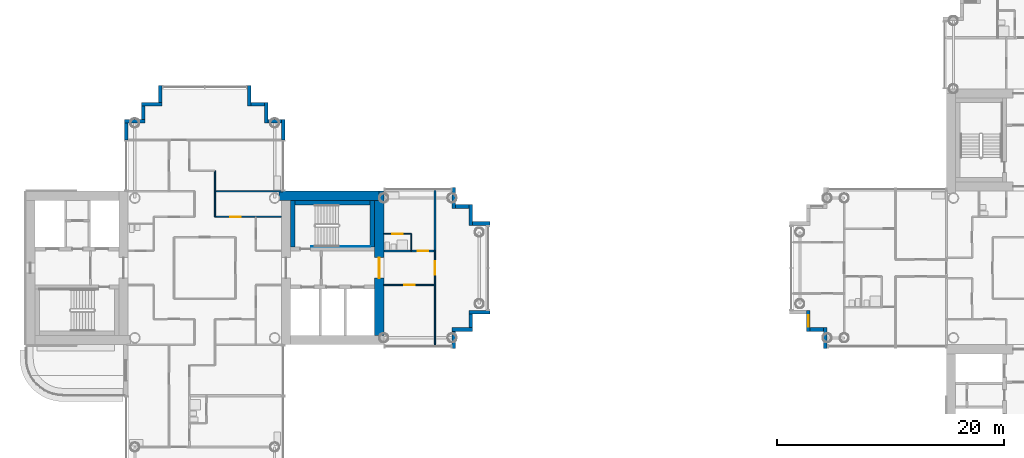
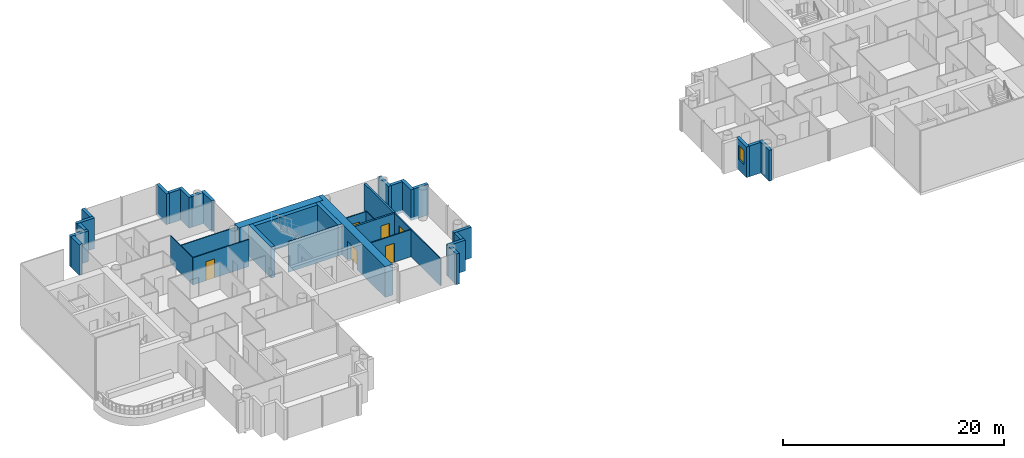
# One storey, part 9 of 20: 36 walls, 6 doors, 1 window, 7 openings.
"""IFC4 building model written with IfcOpenShell, lengths in metres."""

from ifc_helpers import new_model, si_unit, direction, frame, frame_2d, origin, place, context, subcontext, project, spatial, rectangle, extrude, material, layer, layer_set, type_object, element, fill, save


model = new_model("IFC4")

# Units and contexts
model_context = context("Model", 3, precision=1e-05, world=origin(), true_north=direction((0.0, 1.0)))
body_context = subcontext(model_context, "Body", "Model", "MODEL_VIEW")
ifc_project = project(units=[si_unit("LENGTHUNIT", "METRE"), si_unit("AREAUNIT", "SQUARE_METRE"), si_unit("VOLUMEUNIT", "CUBIC_METRE"), si_unit("PLANEANGLEUNIT", "RADIAN"), si_unit("MASSUNIT", "GRAM", prefix="KILO")], contexts=[model_context])

# Site, building, storey
site_placement = place(None, origin())
site = spatial("IfcSite", under=ifc_project, at=site_placement, CompositionType="ELEMENT")
building_placement = place(site_placement, origin())
building = spatial("IfcBuilding", under=site, at=building_placement, Name="Ipe Terrace Towers", CompositionType="ELEMENT")
storey_placement = place(building_placement, frame((0.0, 0.0, 160.89990234375)))
storey = spatial("IfcBuildingStorey", under=building, at=storey_placement, Name="L44", CompositionType="ELEMENT", Elevation=160.89990234375)

# Walls
ifc_material_1 = material(Name="Concrete C40/50 with buff precast cladding", Category="concrete")
ifc_layer_1 = layer(ifc_material_1, 0.320068359375)
ifc_layer_set_1 = layer_set([ifc_layer_1], Name="BUFF CLADDING WALL 320")
wall_type_1 = type_object("IfcWallType", Name="BUFF CLADDING WALL 320", PredefinedType="STANDARD", material=ifc_layer_set_1)
wall_1_placement = place(storey_placement, frame((-14.090087890625, -7.070068359375, -0.2998046875), z_axis=(0.0, 0.0, 1.0), x_axis=(0.0, 1.0, 0.0)))
element("IfcWall", 1, at=wall_1_placement, inside=storey, type_object=wall_type_1, Name="T1-W-L44-17a wall", PredefinedType="STANDARD", context=body_context, shape_type="SweptSolid", body=[
    extrude(rectangle(XDim=1.5, YDim=0.320068359375, at=frame_2d((0.75, 0.0))), origin(), (0.0, 0.0, 1.0), 3.39990234375),
])
wall_2_placement = place(storey_placement, frame((-14.25, -5.409912109375, -0.2998046875), z_axis=(0.0, 0.0, 1.0), x_axis=(1.0, 0.0, 0.0)))
element("IfcWall", 2, at=wall_2_placement, inside=storey, type_object=wall_type_1, Name="T1-W-L44-18a wall", PredefinedType="STANDARD", context=body_context, shape_type="SweptSolid", body=[
    extrude(rectangle(XDim=1.820068359375, YDim=0.320068359375, at=frame_2d((0.91015625, 0.0))), origin(), (0.0, 0.0, 1.0), 3.39990234375),
])
wall_3_placement = place(storey_placement, frame((-12.590087890625, -5.25, -0.2998046875), z_axis=(0.0, 0.0, 1.0), x_axis=(0.0, 1.0, 0.0)))
element("IfcWall", 3, at=wall_3_placement, inside=storey, type_object=wall_type_1, Name="T1-W-L44-19a wall", PredefinedType="STANDARD", context=body_context, shape_type="SweptSolid", body=[
    extrude(rectangle(XDim=1.179931640625, YDim=0.320068359375, at=frame_2d((0.58984375, 0.0))), origin(), (0.0, 0.0, 1.0), 3.39990234375),
])
wall_4_placement = place(storey_placement, frame((-12.75, -3.909912109375, -0.2998046875), z_axis=(0.0, 0.0, 1.0), x_axis=(1.0, 0.0, 0.0)))
element("IfcWall", 4, at=wall_4_placement, inside=storey, type_object=wall_type_1, Name="T1-W-L44-20a wall", PredefinedType="STANDARD", context=body_context, shape_type="SweptSolid", body=[
    extrude(rectangle(XDim=1.820068359375, YDim=0.320068359375, at=frame_2d((0.91015625, 0.0))), origin(), (0.0, 0.0, 1.0), 3.39990234375),
])
wall_5_placement = place(storey_placement, frame((-10.929931640625, 3.909912109375, -0.2998046875), z_axis=(0.0, 0.0, 1.0), x_axis=(-1.0, 0.0, 0.0)))
element("IfcWall", 5, at=wall_5_placement, inside=storey, type_object=wall_type_1, Name="T1-W-L44-22a wall", PredefinedType="STANDARD", context=body_context, shape_type="SweptSolid", body=[
    extrude(rectangle(XDim=1.5, YDim=0.320068359375, at=frame_2d((0.75, 0.0))), origin(), (0.0, 0.0, 1.0), 3.39990234375),
])
wall_6_placement = place(storey_placement, frame((-12.590087890625, 3.75, -0.2998046875), z_axis=(0.0, 0.0, 1.0), x_axis=(0.0, 1.0, 0.0)))
element("IfcWall", 6, at=wall_6_placement, inside=storey, type_object=wall_type_1, Name="T1-W-L44-23a wall", PredefinedType="STANDARD", context=body_context, shape_type="SweptSolid", body=[
    extrude(rectangle(XDim=1.820068359375, YDim=0.320068359375, at=frame_2d((0.91015625, 0.0))), origin(), (0.0, 0.0, 1.0), 3.39990234375),
])
wall_7_placement = place(storey_placement, frame((-12.75, 5.409912109375, -0.2998046875), z_axis=(0.0, 0.0, 1.0), x_axis=(-1.0, 0.0, 0.0)))
element("IfcWall", 7, at=wall_7_placement, inside=storey, type_object=wall_type_1, Name="T1-W-L44-24a wall", PredefinedType="STANDARD", context=body_context, shape_type="SweptSolid", body=[
    extrude(rectangle(XDim=1.179931640625, YDim=0.320068359375, at=frame_2d((0.58984375, 0.0))), origin(), (0.0, 0.0, 1.0), 3.39990234375),
])
for number, where, z_axis, x_axis, name in (
    (8, (-14.090087890625, 5.25, -0.2998046875), (0.0, 0.0, 1.0), (0.0, 1.0, 0.0), "T1-W-L44-25a wall"),
    (9, (-29.090087890625, 11.25, -0.2998046875), (0.0, 0.0, 1.0), (0.0, 1.0, 0.0), "T1-W-L44-29a wall"),
):
    element("IfcWall", number, at=place(storey_placement, frame(where, z_axis=z_axis, x_axis=x_axis)), inside=storey, type_object=wall_type_1, Name=name, PredefinedType="STANDARD", context=body_context, shape_type="SweptSolid", body=[
        extrude(rectangle(XDim=1.820068359375, YDim=0.320068359375, at=frame_2d((0.91015625, 0.0))), origin(), (0.0, 0.0, 1.0), 3.39990234375),
    ])
wall_8_placement = place(storey_placement, frame((-29.25, 12.909912109375, -0.2998046875), z_axis=(0.0, 0.0, 1.0), x_axis=(-1.0, 0.0, 0.0)))
element("IfcWall", 10, at=wall_8_placement, inside=storey, type_object=wall_type_1, Name="T1-W-L44-30a wall", PredefinedType="STANDARD", context=body_context, shape_type="SweptSolid", body=[
    extrude(rectangle(XDim=1.179931640625, YDim=0.320068359375, at=frame_2d((0.58984375, 0.0))), origin(), (0.0, 0.0, 1.0), 3.39990234375),
])
wall_9_placement = place(storey_placement, frame((-30.590087890625, 12.75, -0.2998046875), z_axis=(0.0, 0.0, 1.0), x_axis=(0.0, 1.0, 0.0)))
element("IfcWall", 11, at=wall_9_placement, inside=storey, type_object=wall_type_1, Name="T1-W-L44-31a wall", PredefinedType="STANDARD", context=body_context, shape_type="SweptSolid", body=[
    extrude(rectangle(XDim=1.820068359375, YDim=0.320068359375, at=frame_2d((0.91015625, 0.0))), origin(), (0.0, 0.0, 1.0), 3.39990234375),
])
wall_10_placement = place(storey_placement, frame((-30.75, 14.409912109375, -0.2998046875), z_axis=(0.0, 0.0, 1.0), x_axis=(-1.0, 0.0, 0.0)))
element("IfcWall", 12, at=wall_10_placement, inside=storey, type_object=wall_type_1, Name="T1-W-L44-32a wall", PredefinedType="STANDARD", context=body_context, shape_type="SweptSolid", body=[
    extrude(rectangle(XDim=1.179931640625, YDim=0.320068359375, at=frame_2d((0.58984375, 0.0))), origin(), (0.0, 0.0, 1.0), 3.39990234375),
])
wall_11_placement = place(storey_placement, frame((-32.090087890625, 14.25, -0.2998046875), z_axis=(0.0, 0.0, 1.0), x_axis=(0.0, 1.0, 0.0)))
element("IfcWall", 13, at=wall_11_placement, inside=storey, type_object=wall_type_1, Name="T1-W-L44-33a wall", PredefinedType="STANDARD", context=body_context, shape_type="SweptSolid", body=[
    extrude(rectangle(XDim=1.820068359375, YDim=0.320068359375, at=frame_2d((0.91015625, 0.0))), origin(), (0.0, 0.0, 1.0), 3.39990234375),
])
wall_12_placement = place(storey_placement, frame((-39.909912109375, 16.070068359375, -0.2998046875), z_axis=(0.0, 0.0, 1.0), x_axis=(0.0, -1.0, 0.0)))
element("IfcWall", 14, at=wall_12_placement, inside=storey, type_object=wall_type_1, Name="T1-W-L44-35a wall", PredefinedType="STANDARD", context=body_context, shape_type="SweptSolid", body=[
    extrude(rectangle(XDim=1.5, YDim=0.320068359375, at=frame_2d((0.75, 0.0))), origin(), (0.0, 0.0, 1.0), 3.39990234375),
])
wall_13_placement = place(storey_placement, frame((-39.75, 14.409912109375, -0.2998046875), z_axis=(0.0, 0.0, 1.0), x_axis=(-1.0, 0.0, 0.0)))
element("IfcWall", 15, at=wall_13_placement, inside=storey, type_object=wall_type_1, Name="T1-W-L44-36a wall", PredefinedType="STANDARD", context=body_context, shape_type="SweptSolid", body=[
    extrude(rectangle(XDim=1.820068359375, YDim=0.320068359375, at=frame_2d((0.91015625, 0.0))), origin(), (0.0, 0.0, 1.0), 3.39990234375),
])
wall_14_placement = place(storey_placement, frame((-41.409912109375, 14.25, -0.2998046875), z_axis=(0.0, 0.0, 1.0), x_axis=(0.0, -1.0, 0.0)))
element("IfcWall", 16, at=wall_14_placement, inside=storey, type_object=wall_type_1, Name="T1-W-L44-37a wall", PredefinedType="STANDARD", context=body_context, shape_type="SweptSolid", body=[
    extrude(rectangle(XDim=1.179931640625, YDim=0.320068359375, at=frame_2d((0.58984375, 0.0))), origin(), (0.0, 0.0, 1.0), 3.39990234375),
])
wall_15_placement = place(storey_placement, frame((-41.25, 12.909912109375, -0.2998046875), z_axis=(0.0, 0.0, 1.0), x_axis=(-1.0, 0.0, 0.0)))
element("IfcWall", 17, at=wall_15_placement, inside=storey, type_object=wall_type_1, Name="T1-W-L44-38a wall", PredefinedType="STANDARD", context=body_context, shape_type="SweptSolid", body=[
    extrude(rectangle(XDim=1.820068359375, YDim=0.320068359375, at=frame_2d((0.91015625, 0.0))), origin(), (0.0, 0.0, 1.0), 3.39990234375),
])
wall_16_placement = place(storey_placement, frame((-42.909912109375, 12.75, -0.2998046875), z_axis=(0.0, 0.0, 1.0), x_axis=(0.0, -1.0, 0.0)))
element("IfcWall", 18, at=wall_16_placement, inside=storey, type_object=wall_type_1, Name="T1-W-L44-39a wall", PredefinedType="STANDARD", context=body_context, shape_type="SweptSolid", body=[
    extrude(rectangle(XDim=1.5, YDim=0.320068359375, at=frame_2d((0.75, 0.0))), origin(), (0.0, 0.0, 1.0), 3.39990234375),
])

# Wall, opening, window
wall_17_placement = place(storey_placement, frame((17.090087890625, -3.75, -0.2998046875), z_axis=(0.0, 0.0, 1.0), x_axis=(0.0, -1.0, 0.0)))
wall_17 = element("IfcWall", 19, at=wall_17_placement, inside=storey, type_object=wall_type_1, Name="T2-W-L44-36a wall", PredefinedType="STANDARD", context=body_context, shape_type="SweptSolid", body=[
    extrude(rectangle(XDim=1.820068359375, YDim=0.320068359375, at=frame_2d((0.91015625, 0.0))), origin(), (0.0, 0.0, 1.0), 3.39990234375),
])
opening_1_placement = place(wall_17_placement, frame((0.409912109375, 0.0, 1.199951171875)))
opening_1 = element("IfcOpeningElement", 20, at=opening_1_placement, cuts=wall_17, Name="Opening T2-W-05-L44-01", PredefinedType="OPENING", context=body_context, shape_type="SweptSolid", body=[
    extrude(rectangle(XDim=1.0, YDim=1.5, at=frame_2d((0.5, 0.75))), frame((0.0, 0.169921875, 0.0), z_axis=(0.0, -1.0, 0.0), x_axis=(1.0, 0.0, 0.0)), (0.0, 0.0, 1.0), 0.340087890625),
])
ifc_material_2 = material(Name="Glass, clear laminated", Category="glass")
window_type = type_object("IfcWindowType", Name="DWELLING WINDOW 1000 x 1500", PartitioningType="SINGLE_PANEL", PredefinedType="WINDOW", material=ifc_material_2)
window_placement = place(opening_1_placement, origin())
window = element("IfcWindow", 21, at=window_placement, inside=storey, type_object=window_type, Name="W-05 window", OverallHeight=1.5, OverallWidth=1.0, PartitioningType="SINGLE_PANEL", PredefinedType="WINDOW", context=body_context, shape_type="SweptSolid", body=[
    extrude(rectangle(XDim=1.0, YDim=1.5, at=frame_2d((0.5, 0.75))), frame((0.0, 0.030029296875, 0.0), z_axis=(0.0, -1.0, 0.0), x_axis=(1.0, 0.0, 0.0)), (0.0, 0.0, 1.0), 0.06005859375),
])
fill(opening_1, window)

# Walls
wall_18_placement = place(storey_placement, frame((17.25, -5.409912109375, -0.2998046875), z_axis=(0.0, 0.0, 1.0), x_axis=(1.0, 0.0, 0.0)))
element("IfcWall", 22, at=wall_18_placement, inside=storey, type_object=wall_type_1, Name="T2-W-L44-37a wall", PredefinedType="STANDARD", context=body_context, shape_type="SweptSolid", body=[
    extrude(rectangle(XDim=1.179931640625, YDim=0.320068359375, at=frame_2d((0.58984375, 0.0))), origin(), (0.0, 0.0, 1.0), 3.39990234375),
])
wall_19_placement = place(storey_placement, frame((18.590087890625, -5.25, -0.2998046875), z_axis=(0.0, 0.0, 1.0), x_axis=(0.0, -1.0, 0.0)))
element("IfcWall", 23, at=wall_19_placement, inside=storey, type_object=wall_type_1, Name="T2-W-L44-38a wall", PredefinedType="STANDARD", context=body_context, shape_type="SweptSolid", body=[
    extrude(rectangle(XDim=1.820068359375, YDim=0.320068359375, at=frame_2d((0.91015625, 0.0))), origin(), (0.0, 0.0, 1.0), 3.39990234375),
])
ifc_material_3 = material(Name="Gypsum board partition", Category="plasterboard")
ifc_layer_2 = layer(ifc_material_3, 0.10009765625)
ifc_layer_set_2 = layer_set([ifc_layer_2], Name="Gypsum board partition 100 mm")
wall_type_2 = type_object("IfcWallType", Name="Gypsum board partition 100 mm", PredefinedType="PARTITIONING", material=ifc_layer_set_2)
wall_20_placement = place(storey_placement, frame((-35.10009765625, 4.5, 0.0), z_axis=(0.0, 0.0, 1.0), x_axis=(0.0, 1.0, 0.0)))
element("IfcWall", 24, at=wall_20_placement, inside=storey, type_object=wall_type_2, Name="Gypsum board partition T1 L44 W13", PredefinedType="PARTITIONING", context=body_context, shape_type="SweptSolid", body=[
    extrude(rectangle(XDim=4.050048828125, YDim=0.10009765625, at=frame_2d((2.02490234375, 0.0))), origin(), (0.0, 0.0, 1.0), 3.0),
])
wall_21_placement = place(storey_placement, frame((-17.85009765625, 1.5, 0.0), z_axis=(0.0, 0.0, 1.0), x_axis=(0.0, 1.0, 0.0)))
element("IfcWall", 25, at=wall_21_placement, inside=storey, type_object=wall_type_2, Name="Gypsum board partition T1 L44 W17", PredefinedType="PARTITIONING", context=body_context, shape_type="SweptSolid", body=[
    extrude(rectangle(XDim=1.5, YDim=0.10009765625, at=frame_2d((0.75, 0.0))), origin(), (0.0, 0.0, 1.0), 3.0),
])

# Wall, opening, door
wall_22_placement = place(storey_placement, frame((-15.75, -6.85009765625, 0.0), z_axis=(0.0, 0.0, 1.0), x_axis=(0.0, 1.0, 0.0)))
wall_22 = element("IfcWall", 26, at=wall_22_placement, inside=storey, type_object=wall_type_2, Name="Gypsum board partition T1 L44 W18", PredefinedType="PARTITIONING", context=body_context, shape_type="SweptSolid", body=[
    extrude(rectangle(XDim=8.35009765625, YDim=0.10009765625, at=frame_2d((4.175048828125, 0.0))), origin(), (0.0, 0.0, 1.0), 3.0),
])
opening_2_placement = place(wall_22_placement, frame((6.25, 0.0, 0.0)))
opening_2 = element("IfcOpeningElement", 27, at=opening_2_placement, cuts=wall_22, Name="Opening T1-Z3C-21", PredefinedType="OPENING", context=body_context, shape_type="SweptSolid", body=[
    extrude(rectangle(XDim=1.199951171875, YDim=2.10009765625, at=frame_2d((0.60009765625, 1.050048828125))), frame((0.0, 0.06005859375, 0.0), z_axis=(0.0, -1.0, 0.0), x_axis=(1.0, 0.0, 0.0)), (0.0, 0.0, 1.0), 0.1201171875),
])
ifc_material_4 = material(Name="Timber door leaf", Category="wood")
door_type_1 = type_object("IfcDoorType", Name="Lounge door 1200 x 2100", OperationType="NOTDEFINED", PredefinedType="DOOR", material=ifc_material_4)
door_1_placement = place(opening_2_placement, origin())
door_1 = element("IfcDoor", 28, at=door_1_placement, inside=storey, type_object=door_type_1, Name="Lounge door T1-Z3C-21", OperationType="SINGLE_SWING_RIGHT", OverallHeight=2.10009765625, OverallWidth=1.199951171875, PredefinedType="DOOR", context=body_context, shape_type="SweptSolid", body=[
    extrude(rectangle(XDim=1.199951171875, YDim=2.10009765625, at=frame_2d((0.60009765625, 1.050048828125))), frame((0.0, 0.02490234375, 0.0), z_axis=(0.0, -1.0, 0.0), x_axis=(1.0, 0.0, 0.0)), (0.0, 0.0, 1.0), 0.050048828125),
])
fill(opening_2, door_1)

wall_23_placement = place(storey_placement, frame((-20.25, -1.5, 0.0), z_axis=(0.0, 0.0, 1.0), x_axis=(1.0, 0.0, 0.0)))
wall_23 = element("IfcWall", 29, at=wall_23_placement, inside=storey, type_object=wall_type_2, Name="Gypsum board partition T1 L44 W32", PredefinedType="PARTITIONING", context=body_context, shape_type="SweptSolid", body=[
    extrude(rectangle(XDim=4.5, YDim=0.10009765625, at=frame_2d((2.25, 0.0))), origin(), (0.0, 0.0, 1.0), 3.0),
])
opening_3_placement = place(wall_23_placement, frame((1.800048828125, 0.0, 0.0)))
opening_3 = element("IfcOpeningElement", 30, at=opening_3_placement, cuts=wall_23, Name="Opening T1-Z3C-20", PredefinedType="OPENING", context=body_context, shape_type="SweptSolid", body=[
    extrude(rectangle(XDim=0.89990234375, YDim=2.10009765625, at=frame_2d((0.449951171875, 1.050048828125))), frame((0.0, 0.06005859375, 0.0), z_axis=(0.0, -1.0, 0.0), x_axis=(1.0, 0.0, 0.0)), (0.0, 0.0, 1.0), 0.1201171875),
])
ifc_material_5 = material(Name="Timber door leaf", Category="wood")
door_type_2 = type_object("IfcDoorType", Name="Lounge door 900 x 2100", OperationType="NOTDEFINED", PredefinedType="DOOR", material=ifc_material_5)
door_2_placement = place(opening_3_placement, origin())
door_2 = element("IfcDoor", 31, at=door_2_placement, inside=storey, type_object=door_type_2, Name="Lounge door T1-Z3C-20", OperationType="SINGLE_SWING_RIGHT", OverallHeight=2.10009765625, OverallWidth=0.89990234375, PredefinedType="DOOR", context=body_context, shape_type="SweptSolid", body=[
    extrude(rectangle(XDim=0.89990234375, YDim=2.10009765625, at=frame_2d((0.449951171875, 1.050048828125))), frame((0.0, 0.02490234375, 0.0), z_axis=(0.0, -1.0, 0.0), x_axis=(1.0, 0.0, 0.0)), (0.0, 0.0, 1.0), 0.050048828125),
])
fill(opening_3, door_2)

wall_24_placement = place(storey_placement, frame((-20.25, 3.0, 0.0), z_axis=(0.0, 0.0, 1.0), x_axis=(1.0, 0.0, 0.0)))
wall_24 = element("IfcWall", 32, at=wall_24_placement, inside=storey, type_object=wall_type_2, Name="Gypsum board partition T1 L44 W37", PredefinedType="PARTITIONING", context=body_context, shape_type="SweptSolid", body=[
    extrude(rectangle(XDim=2.39990234375, YDim=0.10009765625, at=frame_2d((1.199951171875, 0.0))), origin(), (0.0, 0.0, 1.0), 3.0),
])
opening_4_placement = place(wall_24_placement, frame((0.75, 0.0, 0.0)))
opening_4 = element("IfcOpeningElement", 33, at=opening_4_placement, cuts=wall_24, Name="Opening T1-Z3C-19", PredefinedType="OPENING", context=body_context, shape_type="SweptSolid", body=[
    extrude(rectangle(XDim=0.89990234375, YDim=2.10009765625, at=frame_2d((0.449951171875, 1.050048828125))), frame((0.0, 0.06005859375, 0.0), z_axis=(0.0, -1.0, 0.0), x_axis=(1.0, 0.0, 0.0)), (0.0, 0.0, 1.0), 0.1201171875),
])
ifc_material_6 = material(Name="Timber door leaf", Category="wood")
door_type_3 = type_object("IfcDoorType", Name="Bathroom door 900 x 2100", OperationType="NOTDEFINED", PredefinedType="DOOR", material=ifc_material_6)
door_3_placement = place(opening_4_placement, origin())
door_3 = element("IfcDoor", 34, at=door_3_placement, inside=storey, type_object=door_type_3, Name="Bathroom door T1-Z3C-19", OperationType="SINGLE_SWING_RIGHT", OverallHeight=2.10009765625, OverallWidth=0.89990234375, PredefinedType="DOOR", context=body_context, shape_type="SweptSolid", body=[
    extrude(rectangle(XDim=0.89990234375, YDim=2.10009765625, at=frame_2d((0.449951171875, 1.050048828125))), frame((0.0, 0.02490234375, 0.0), z_axis=(0.0, -1.0, 0.0), x_axis=(1.0, 0.0, 0.0)), (0.0, 0.0, 1.0), 0.050048828125),
])
fill(opening_4, door_3)

wall_25_placement = place(storey_placement, frame((-35.10009765625, 4.5, 0.0), z_axis=(0.0, 0.0, 1.0), x_axis=(1.0, 0.0, 0.0)))
wall_25 = element("IfcWall", 35, at=wall_25_placement, inside=storey, type_object=wall_type_2, Name="Gypsum board partition T1 L44 W40", PredefinedType="PARTITIONING", context=body_context, shape_type="SweptSolid", body=[
    extrude(rectangle(XDim=5.85009765625, YDim=0.10009765625, at=frame_2d((2.925048828125, 0.0))), origin(), (0.0, 0.0, 1.0), 3.0),
])
opening_5_placement = place(wall_25_placement, frame((1.35009765625, 0.0, 0.0)))
opening_5 = element("IfcOpeningElement", 36, at=opening_5_placement, cuts=wall_25, Name="Opening T1-Z3C-04", PredefinedType="OPENING", context=body_context, shape_type="SweptSolid", body=[
    extrude(rectangle(XDim=0.89990234375, YDim=2.10009765625, at=frame_2d((0.449951171875, 1.050048828125))), frame((0.0, 0.06005859375, 0.0), z_axis=(0.0, -1.0, 0.0), x_axis=(1.0, 0.0, 0.0)), (0.0, 0.0, 1.0), 0.1201171875),
])
door_4_placement = place(opening_5_placement, origin())
door_4 = element("IfcDoor", 37, at=door_4_placement, inside=storey, type_object=door_type_2, Name="Lounge door T1-Z3C-04", OperationType="SINGLE_SWING_RIGHT", OverallHeight=2.10009765625, OverallWidth=0.89990234375, PredefinedType="DOOR", context=body_context, shape_type="SweptSolid", body=[
    extrude(rectangle(XDim=0.89990234375, YDim=2.10009765625, at=frame_2d((0.449951171875, 1.050048828125))), frame((0.0, 0.02490234375, 0.0), z_axis=(0.0, -1.0, 0.0), x_axis=(1.0, 0.0, 0.0)), (0.0, 0.0, 1.0), 0.050048828125),
])
fill(opening_5, door_4)

# Walls
wall_26_placement = place(storey_placement, frame((-35.10009765625, 6.75, 0.0), z_axis=(0.0, 0.0, 1.0), x_axis=(1.0, 0.0, 0.0)))
element("IfcWall", 38, at=wall_26_placement, inside=storey, type_object=wall_type_2, Name="Gypsum board partition T1 L44 W42", PredefinedType="PARTITIONING", context=body_context, shape_type="SweptSolid", body=[
    extrude(rectangle(XDim=5.9501953125, YDim=0.10009765625, at=frame_2d((2.97509765625, 0.0))), origin(), (0.0, 0.0, 1.0), 3.0),
])
ifc_material_7 = material(Name="Gypsum board party wall", Category="plasterboard")
ifc_layer_3 = layer(ifc_material_7, 0.199951171875)
ifc_layer_set_3 = layer_set([ifc_layer_3], Name="Gypsum board party wall 200 mm")
wall_type_3 = type_object("IfcWallType", Name="Gypsum board party wall 200 mm", PredefinedType="SOLIDWALL", material=ifc_layer_set_3)
wall_27_placement = place(storey_placement, frame((-15.75, 1.5, 0.0), z_axis=(0.0, 0.0, 1.0), x_axis=(0.0, 1.0, 0.0)))
element("IfcWall", 39, at=wall_27_placement, inside=storey, type_object=wall_type_3, Name="Gypsum board party wall T1 L44 W19", PredefinedType="SOLIDWALL", context=body_context, shape_type="SweptSolid", body=[
    extrude(rectangle(XDim=5.35009765625, YDim=0.199951171875, at=frame_2d((2.675048828125, 0.0))), origin(), (0.0, 0.0, 1.0), 3.0),
])

# Wall, opening, door
wall_28_placement = place(storey_placement, frame((-20.25, 1.5, 0.0), z_axis=(0.0, 0.0, 1.0), x_axis=(1.0, 0.0, 0.0)))
wall_28 = element("IfcWall", 40, at=wall_28_placement, inside=storey, type_object=wall_type_3, Name="Gypsum board party wall T1 L44 W35", PredefinedType="SOLIDWALL", context=body_context, shape_type="SweptSolid", body=[
    extrude(rectangle(XDim=4.5, YDim=0.199951171875, at=frame_2d((2.25, 0.0))), origin(), (0.0, 0.0, 1.0), 3.0),
])
opening_6_placement = place(wall_28_placement, frame((3.0, 0.0, 0.0)))
opening_6 = element("IfcOpeningElement", 41, at=opening_6_placement, cuts=wall_28, Name="Opening T1-Z3C-18", PredefinedType="OPENING", context=body_context, shape_type="SweptSolid", body=[
    extrude(rectangle(XDim=0.89990234375, YDim=2.10009765625, at=frame_2d((0.449951171875, 1.050048828125))), frame((0.0, 0.10986328125, 0.0), z_axis=(0.0, -1.0, 0.0), x_axis=(1.0, 0.0, 0.0)), (0.0, 0.0, 1.0), 0.219970703125),
])
ifc_material_8 = material(Name="Fire-rated timber door leaf", Category="wood")
door_type_4 = type_object("IfcDoorType", Name="Flat entrance door 900 x 2100 FD30S", OperationType="NOTDEFINED", PredefinedType="DOOR", material=ifc_material_8)
door_5_placement = place(opening_6_placement, origin())
door_5 = element("IfcDoor", 42, at=door_5_placement, inside=storey, type_object=door_type_4, Name="Flat entrance door T1-Z3C-18", OperationType="SINGLE_SWING_LEFT", OverallHeight=2.10009765625, OverallWidth=0.89990234375, PredefinedType="DOOR", context=body_context, shape_type="SweptSolid", body=[
    extrude(rectangle(XDim=0.89990234375, YDim=2.10009765625, at=frame_2d((0.449951171875, 1.050048828125))), frame((0.0, 0.02490234375, 0.0), z_axis=(0.0, -1.0, 0.0), x_axis=(1.0, 0.0, 0.0)), (0.0, 0.0, 1.0), 0.050048828125),
])
fill(opening_6, door_5)

# Walls
ifc_material_9 = material(Name="Concrete C50/60", Category="concrete")
ifc_layer_4 = layer(ifc_material_9, 0.39990234375)
ifc_layer_set_4 = layer_set([ifc_layer_4], Name="RW400 CORE INFILL WALL 400 C50-60")
wall_type_4 = type_object("IfcWallType", Name="RW400 CORE INFILL WALL 400 C50-60", PredefinedType="SHEAR", material=ifc_layer_set_4)
wall_29_placement = place(storey_placement, frame((-21.25, 1.85009765625, 0.0), z_axis=(0.0, 0.0, 1.0), x_axis=(0.0, 1.0, 0.0)))
element("IfcWall", 43, at=wall_29_placement, inside=storey, type_object=wall_type_4, Name="Core infill wall T1-C1-far", PredefinedType="SHEAR", context=body_context, shape_type="SweptSolid", body=[
    extrude(rectangle(XDim=4.099853515625, YDim=0.39990234375, at=frame_2d((2.0498046875, 0.0))), origin(), (0.0, 0.0, 1.0), 3.400146484375),
])
wall_30_placement = place(storey_placement, frame((-28.050048828125, 5.75, 0.0), z_axis=(0.0, 0.0, 1.0), x_axis=(1.0, 0.0, 0.0)))
element("IfcWall", 44, at=wall_30_placement, inside=storey, type_object=wall_type_4, Name="Core infill wall T1-C1-back", PredefinedType="SHEAR", context=body_context, shape_type="SweptSolid", body=[
    extrude(rectangle(XDim=6.60009765625, YDim=0.39990234375, at=frame_2d((3.300048828125, 0.0))), origin(), (0.0, 0.0, 1.0), 3.400146484375),
])
wall_31_placement = place(storey_placement, frame((-28.25, 1.85009765625, 0.0), z_axis=(0.0, 0.0, 1.0), x_axis=(0.0, 1.0, 0.0)))
element("IfcWall", 45, at=wall_31_placement, inside=storey, type_object=wall_type_4, Name="Core infill wall T1-C1-near", PredefinedType="SHEAR", context=body_context, shape_type="SweptSolid", body=[
    extrude(rectangle(XDim=4.099853515625, YDim=0.39990234375, at=frame_2d((2.0498046875, 0.0))), origin(), (0.0, 0.0, 1.0), 3.400146484375),
])
ifc_material_10 = material(Name="Concrete C50/60", Category="concrete")
ifc_layer_5 = layer(ifc_material_10, 0.050048828125)
ifc_layer_set_5 = layer_set([ifc_layer_5], Name="RW50 CORE INFILL WALL 50 C50-60")
wall_type_5 = type_object("IfcWallType", Name="RW50 CORE INFILL WALL 50 C50-60", PredefinedType="SHEAR", material=ifc_layer_set_5)
wall_32_placement = place(storey_placement, frame((-26.64990234375, 1.875, 0.0), z_axis=(0.0, 0.0, 1.0), x_axis=(1.0, 0.0, 0.0)))
element("IfcWall", 46, at=wall_32_placement, inside=storey, type_object=wall_type_5, Name="Core infill wall T1-C1-spine-b", PredefinedType="SHEAR", context=body_context, shape_type="SweptSolid", body=[
    extrude(rectangle(XDim=5.199951171875, YDim=0.050048828125, at=frame_2d((2.60009765625, 0.0))), origin(), (0.0, 0.0, 1.0), 3.400146484375),
])

# Wall, opening, door
ifc_material_11 = material(Name="Concrete C50/60", Category="concrete")
ifc_layer_6 = layer(ifc_material_11, 0.800048828125)
ifc_layer_set_6 = layer_set([ifc_layer_6], Name="RW800 CORE WALL 800 C50-60")
wall_type_6 = type_object("IfcWallType", Name="RW800 CORE WALL 800 C50-60", PredefinedType="SHEAR", material=ifc_layer_set_6)
wall_33_placement = place(storey_placement, frame((-20.64990234375, -5.949951171875, 0.0), z_axis=(0.0, 0.0, 1.0), x_axis=(0.0, 1.0, 0.0)))
wall_33 = element("IfcWall", 47, at=wall_33_placement, inside=storey, type_object=wall_type_6, Name="Core wall T1-C1-Z3-W02", PredefinedType="SHEAR", context=body_context, shape_type="SweptSolid", body=[
    extrude(rectangle(XDim=12.699951171875, YDim=0.800048828125, at=frame_2d((6.35009765625, 0.0))), origin(), (0.0, 0.0, 1.0), 3.400146484375),
])
opening_7_placement = place(wall_33_placement, frame((5.050048828125, 0.0, 0.0)))
opening_7 = element("IfcOpeningElement", 48, at=opening_7_placement, cuts=wall_33, Name="Opening T1C1-FD", PredefinedType="OPENING", context=body_context, shape_type="SweptSolid", body=[
    extrude(rectangle(XDim=1.800048828125, YDim=2.10009765625, at=frame_2d((0.89990234375, 1.050048828125))), frame((0.0, 0.41015625, 0.0), z_axis=(0.0, -1.0, 0.0), x_axis=(1.0, 0.0, 0.0)), (0.0, 0.0, 1.0), 0.820068359375),
])
ifc_material_12 = material(Name="Fire-rated timber door leaf", Category="wood")
door_type_5 = type_object("IfcDoorType", Name="Fire door 1800 x 2100 FD30S", OperationType="NOTDEFINED", PredefinedType="DOOR", material=ifc_material_12)
door_6_placement = place(opening_7_placement, origin())
door_6 = element("IfcDoor", 49, at=door_6_placement, inside=storey, type_object=door_type_5, Name="Fire door T1C1-FD", OperationType="SINGLE_SWING_LEFT", OverallHeight=2.10009765625, OverallWidth=1.800048828125, PredefinedType="DOOR", context=body_context, shape_type="SweptSolid", body=[
    extrude(rectangle(XDim=1.800048828125, YDim=2.10009765625, at=frame_2d((0.89990234375, 1.050048828125))), frame((0.0, 0.02490234375, 0.0), z_axis=(0.0, -1.0, 0.0), x_axis=(1.0, 0.0, 0.0)), (0.0, 0.0, 1.0), 0.050048828125),
])
fill(opening_7, door_6)

# Wall
wall_34_placement = place(storey_placement, frame((-20.652099609375, 6.35009765625, 0.0), z_axis=(0.0, 0.0, 1.0), x_axis=(-1.0, 0.0, 0.0)))
element("IfcWall", 50, at=wall_34_placement, inside=storey, type_object=wall_type_6, Name="Core wall T1-C1-Z3-W03", PredefinedType="SHEAR", context=body_context, shape_type="SweptSolid", body=[
    extrude(rectangle(XDim=8.7958984375, YDim=0.800048828125, at=frame_2d((4.39794921875, 0.0))), origin(), (0.0, 0.0, 1.0), 3.400146484375),
])

save(model, "model.ifc")
